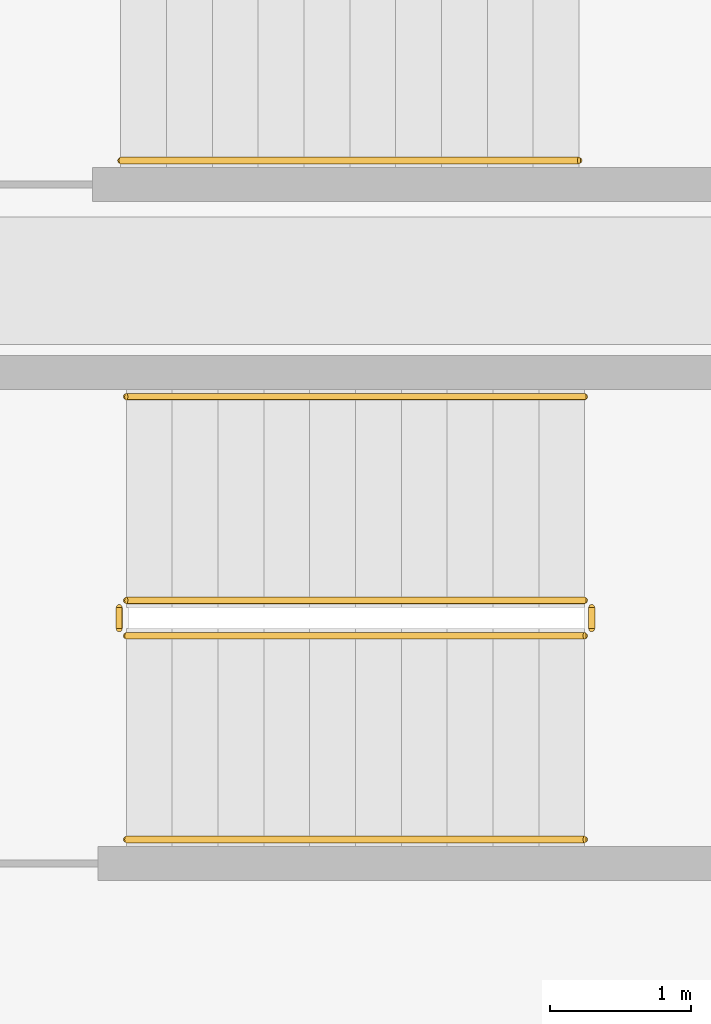
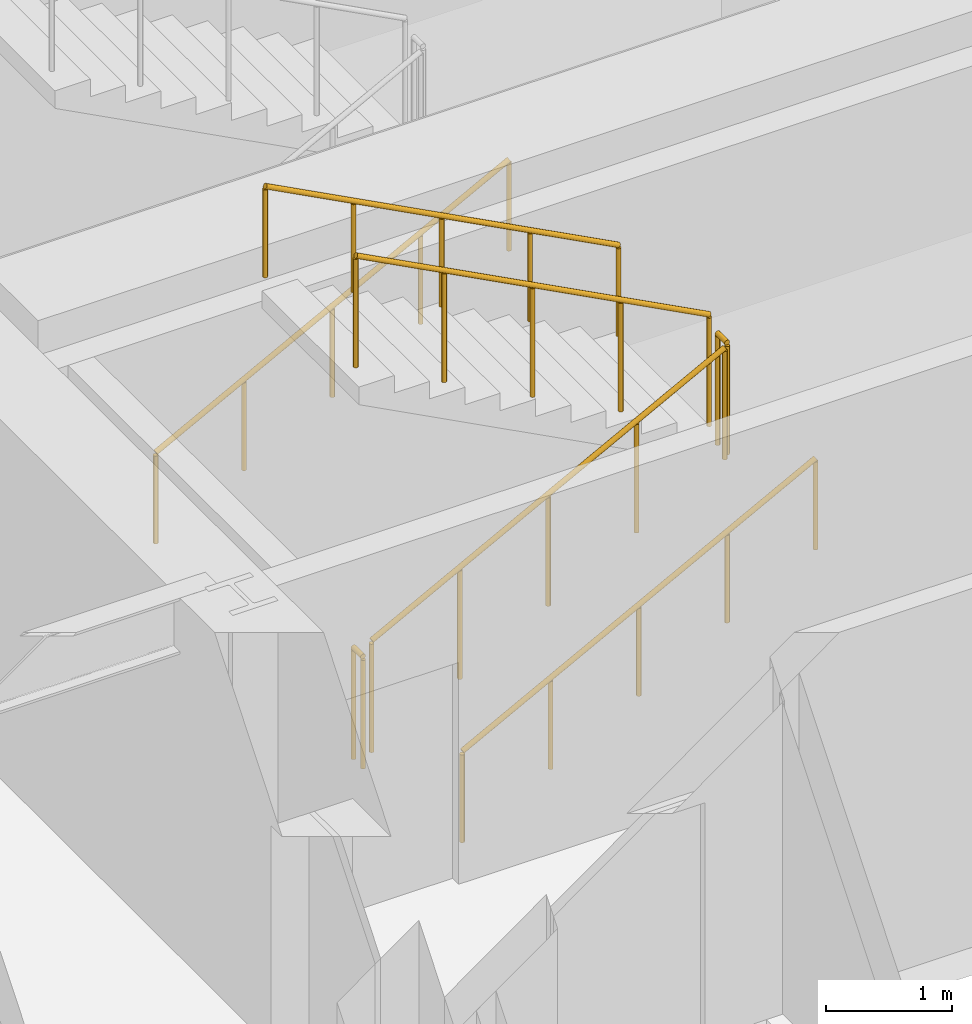
# One storey, part 11 of 14: 7 railings.
"""IFC4 building model written with IfcOpenShell, lengths in metres."""

from ifc_helpers import new_model, si_unit, direction, frame, origin, origin_2d, place, context, subcontext, project, spatial, circle, extrude, material, type_object, element, save


model = new_model("IFC4")

# Units and contexts
model_context = context("Model", 3, precision=1e-05, world=origin(), true_north=direction((0.0, 1.0)))
body_context = subcontext(model_context, "Body", "Model", "MODEL_VIEW")
ifc_project = project(units=[si_unit("LENGTHUNIT", "METRE"), si_unit("AREAUNIT", "SQUARE_METRE"), si_unit("VOLUMEUNIT", "CUBIC_METRE"), si_unit("PLANEANGLEUNIT", "RADIAN"), si_unit("MASSUNIT", "GRAM", prefix="KILO")], contexts=[model_context])

# Site, building, storey
site_placement = place(None, origin())
site = spatial("IfcSite", under=ifc_project, at=site_placement, CompositionType="ELEMENT")
building_placement = place(site_placement, origin())
building = spatial("IfcBuilding", under=site, at=building_placement, Name="Kolvaren Arena Tower", CompositionType="ELEMENT")
storey_placement = place(building_placement, frame((0.0, 0.0, 130.75)))
storey = spatial("IfcBuildingStorey", under=building, at=storey_placement, Name="L30", CompositionType="ELEMENT", Elevation=130.75)

# Railings
ifc_material_1 = material(Name="Painted galvanized steel", Category="steel")
railing_type_1 = type_object("IfcRailingType", Name="GUARD-ST-110", PredefinedType="GUARDRAIL", material=ifc_material_1)
railing_1_placement = place(storey_placement, frame((52.719970703125, 31.639892578125, 0.17041015625)))
element("IfcRailing", 1, at=railing_1_placement, inside=storey, type_object=railing_type_1, Name="L30 ST-E1 stair guard 1", PredefinedType="GUARDRAIL", context=body_context, shape_type="SweptSolid", body=[
    extrude(circle(Radius=0.02392578125, at=origin_2d()), frame((0.0, 0.0, 1.076171875), z_axis=(0.884993431791, 0.0, 0.465603506952), x_axis=(0.0, 1.0, 0.0)), (0.0, 0.0, 1.0), 3.6611328125),
    extrude(circle(Radius=0.02099609375, at=origin_2d()), origin(), (0.0, 0.0, 1.0), 1.052001953125),
    extrude(circle(Radius=0.02099609375, at=origin_2d()), frame((0.81005859375, 0.0, 0.42626953125)), (0.0, 0.0, 1.0), 1.052001953125),
    extrude(circle(Radius=0.02099609375, at=origin_2d()), frame((1.6201171875, 0.0, 0.852294921875)), (0.0, 0.0, 1.0), 1.052001953125),
    extrude(circle(Radius=0.02099609375, at=origin_2d()), frame((2.429931640625, 0.0, 1.2783203125)), (0.0, 0.0, 1.0), 1.052001953125),
    extrude(circle(Radius=0.02099609375, at=origin_2d()), frame((3.239990234375, 0.0, 1.70458984375)), (0.0, 0.0, 1.0), 1.052001953125),
])
railing_2_placement = place(storey_placement, frame((56.010009765625, 31.68994140625, 1.875)))
element("IfcRailing", 2, at=railing_2_placement, inside=storey, type_object=railing_type_1, Name="L30 ST-E1 stair guard 2", PredefinedType="GUARDRAIL", context=body_context, shape_type="SweptSolid", body=[
    extrude(circle(Radius=0.02392578125, at=origin_2d()), frame((0.0, 0.0, 1.076171875), z_axis=(0.0, 1.0, 0.0), x_axis=(-1.0, 0.0, 0.0)), (0.0, 0.0, 1.0), 0.150146484375),
    extrude(circle(Radius=0.02099609375, at=origin_2d()), origin(), (0.0, 0.0, 1.0), 1.052001953125),
    extrude(circle(Radius=0.02099609375, at=origin_2d()), frame((0.0, 0.150146484375, 0.0)), (0.0, 0.0, 1.0), 1.052001953125),
])
railing_3_placement = place(storey_placement, frame((55.9599609375, 31.889892578125, 2.04541015625)))
element("IfcRailing", 3, at=railing_3_placement, inside=storey, type_object=railing_type_1, Name="L30 ST-E1 stair guard 3", PredefinedType="GUARDRAIL", context=body_context, shape_type="SweptSolid", body=[
    extrude(circle(Radius=0.02392578125, at=origin_2d()), frame((0.0, 0.0, 1.076171875), z_axis=(-0.884993431791, 0.0, 0.465603506952), x_axis=(0.0, -1.0, 0.0)), (0.0, 0.0, 1.0), 3.6611328125),
    extrude(circle(Radius=0.02099609375, at=origin_2d()), origin(), (0.0, 0.0, 1.0), 1.052001953125),
    extrude(circle(Radius=0.02099609375, at=origin_2d()), frame((-0.81005859375, 0.0, 0.42626953125)), (0.0, 0.0, 1.0), 1.052001953125),
    extrude(circle(Radius=0.02099609375, at=origin_2d()), frame((-1.6201171875, 0.0, 0.852294921875)), (0.0, 0.0, 1.0), 1.052001953125),
    extrude(circle(Radius=0.02099609375, at=origin_2d()), frame((-2.429931640625, 0.0, 1.2783203125)), (0.0, 0.0, 1.0), 1.052001953125),
    extrude(circle(Radius=0.02099609375, at=origin_2d()), frame((-3.239990234375, 0.0, 1.70458984375)), (0.0, 0.0, 1.0), 1.052001953125),
])
railing_4_placement = place(storey_placement, frame((52.669921875, 31.68994140625, 0.0)))
element("IfcRailing", 4, at=railing_4_placement, inside=storey, type_object=railing_type_1, Name="L30 ST-E1 stair guard 4", PredefinedType="GUARDRAIL", context=body_context, shape_type="SweptSolid", body=[
    extrude(circle(Radius=0.02392578125, at=origin_2d()), frame((0.0, 0.0, 1.076171875), z_axis=(0.0, 1.0, 0.0), x_axis=(-1.0, 0.0, 0.0)), (0.0, 0.0, 1.0), 0.150146484375),
    extrude(circle(Radius=0.02099609375, at=origin_2d()), origin(), (0.0, 0.0, 1.0), 1.052001953125),
    extrude(circle(Radius=0.02099609375, at=origin_2d()), frame((0.0, 0.150146484375, 0.0)), (0.0, 0.0, 1.0), 1.052001953125),
])
ifc_material_2 = material(Name="Brushed stainless steel handrail", Category="steel")
railing_type_2 = type_object("IfcRailingType", Name="HRAIL-900", PredefinedType="HANDRAIL", material=ifc_material_2)
railing_5_placement = place(storey_placement, frame((52.719970703125, 30.199951171875, 0.17041015625)))
element("IfcRailing", 5, at=railing_5_placement, inside=storey, type_object=railing_type_2, Name="L30 ST-E1 stair handrail 1", PredefinedType="HANDRAIL", context=body_context, shape_type="SweptSolid", body=[
    extrude(circle(Radius=0.02392578125, at=origin_2d()), frame((0.0, 0.0, 0.8759765625), z_axis=(0.884993431791, 0.0, 0.465603506952), x_axis=(0.0, 1.0, 0.0)), (0.0, 0.0, 1.0), 3.6611328125),
    extrude(circle(Radius=0.02099609375, at=origin_2d()), origin(), (0.0, 0.0, 1.0), 0.851806640625),
    extrude(circle(Radius=0.02099609375, at=origin_2d()), frame((0.81005859375, 0.0, 0.42626953125)), (0.0, 0.0, 1.0), 0.851806640625),
    extrude(circle(Radius=0.02099609375, at=origin_2d()), frame((1.6201171875, 0.0, 0.852294921875)), (0.0, 0.0, 1.0), 0.851806640625),
    extrude(circle(Radius=0.02099609375, at=origin_2d()), frame((2.429931640625, 0.0, 1.2783203125)), (0.0, 0.0, 1.0), 0.851806640625),
    extrude(circle(Radius=0.02099609375, at=origin_2d()), frame((3.239990234375, 0.0, 1.70458984375)), (0.0, 0.0, 1.0), 0.851806640625),
])
railing_6_placement = place(storey_placement, frame((55.9599609375, 33.330078125, 2.04541015625)))
element("IfcRailing", 6, at=railing_6_placement, inside=storey, type_object=railing_type_2, Name="L30 ST-E1 stair handrail 2", PredefinedType="HANDRAIL", context=body_context, shape_type="SweptSolid", body=[
    extrude(circle(Radius=0.02392578125, at=origin_2d()), frame((0.0, 0.0, 0.8759765625), z_axis=(-0.884993431791, 0.0, 0.465603506952), x_axis=(0.0, -1.0, 0.0)), (0.0, 0.0, 1.0), 3.6611328125),
    extrude(circle(Radius=0.02099609375, at=origin_2d()), origin(), (0.0, 0.0, 1.0), 0.851806640625),
    extrude(circle(Radius=0.02099609375, at=origin_2d()), frame((-0.81005859375, 0.0, 0.42626953125)), (0.0, 0.0, 1.0), 0.851806640625),
    extrude(circle(Radius=0.02099609375, at=origin_2d()), frame((-1.6201171875, 0.0, 0.852294921875)), (0.0, 0.0, 1.0), 0.851806640625),
    extrude(circle(Radius=0.02099609375, at=origin_2d()), frame((-2.429931640625, 0.0, 1.2783203125)), (0.0, 0.0, 1.0), 0.851806640625),
    extrude(circle(Radius=0.02099609375, at=origin_2d()), frame((-3.239990234375, 0.0, 1.70458984375)), (0.0, 0.0, 1.0), 0.851806640625),
])
railing_7_placement = place(storey_placement, frame((52.679931640625, 35.0, 0.17041015625)))
element("IfcRailing", 7, at=railing_7_placement, inside=storey, type_object=railing_type_2, Name="L30 ST-E2 stair handrail 1", PredefinedType="HANDRAIL", context=body_context, shape_type="SweptSolid", body=[
    extrude(circle(Radius=0.02392578125, at=origin_2d()), frame((0.0, 0.0, 0.8759765625), z_axis=(0.884993431791, 0.0, 0.465603506952), x_axis=(0.0, 1.0, 0.0)), (0.0, 0.0, 1.0), 3.6611328125),
    extrude(circle(Radius=0.02099609375, at=origin_2d()), origin(), (0.0, 0.0, 1.0), 0.851806640625),
    extrude(circle(Radius=0.02099609375, at=origin_2d()), frame((0.81005859375, 0.0, 0.42626953125)), (0.0, 0.0, 1.0), 0.851806640625),
    extrude(circle(Radius=0.02099609375, at=origin_2d()), frame((1.6201171875, 0.0, 0.852294921875)), (0.0, 0.0, 1.0), 0.851806640625),
    extrude(circle(Radius=0.02099609375, at=origin_2d()), frame((2.429931640625, 0.0, 1.2783203125)), (0.0, 0.0, 1.0), 0.851806640625),
    extrude(circle(Radius=0.02099609375, at=origin_2d()), frame((3.239990234375, 0.0, 1.70458984375)), (0.0, 0.0, 1.0), 0.851806640625),
])

save(model, "model.ifc")
